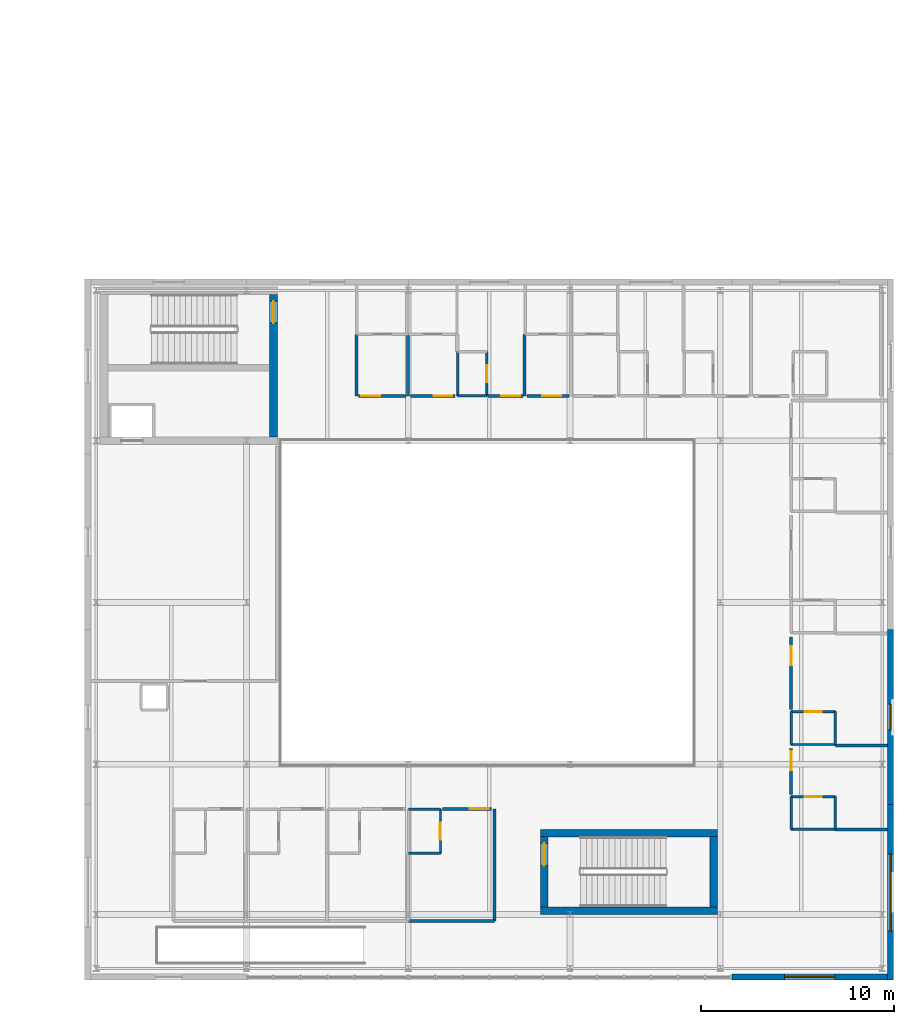
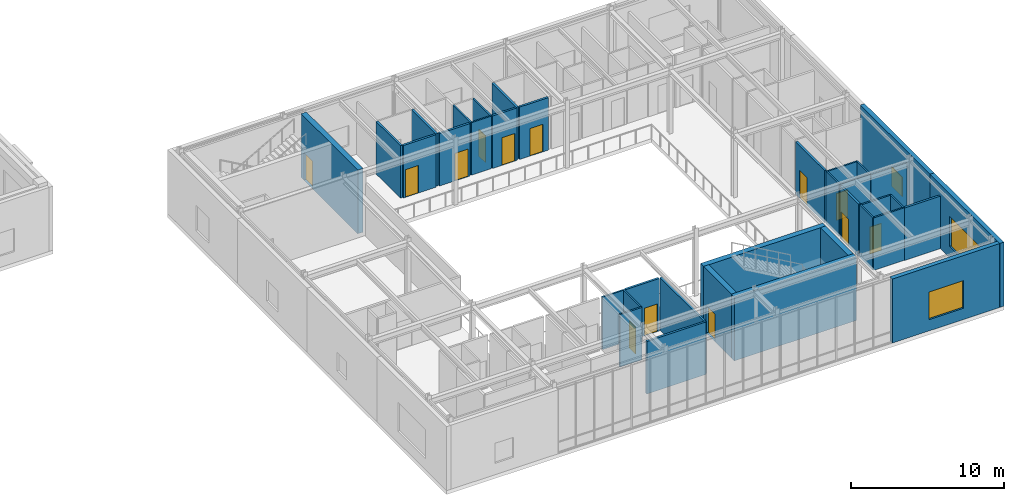
# One storey, part 116 of 139: 36 walls, 13 doors, 3 windows, 16 openings.
"""IFC4 building model written with IfcOpenShell, lengths in metres."""

from ifc_helpers import new_model, si_unit, direction, frame, frame_2d, origin, place, context, subcontext, project, spatial, rectangle, extrude, material, layer, layer_set, type_object, element, fill, save


model = new_model("IFC4")

# Units and contexts
model_context = context("Model", 3, precision=1e-05, world=origin(), true_north=direction((0.0, 1.0)))
body_context = subcontext(model_context, "Body", "Model", "MODEL_VIEW")
ifc_project = project(units=[si_unit("LENGTHUNIT", "METRE"), si_unit("AREAUNIT", "SQUARE_METRE"), si_unit("VOLUMEUNIT", "CUBIC_METRE"), si_unit("PLANEANGLEUNIT", "RADIAN"), si_unit("MASSUNIT", "GRAM", prefix="KILO")], contexts=[model_context])

# Site, building, storey
site_placement = place(None, origin())
site = spatial("IfcSite", under=ifc_project, at=site_placement, CompositionType="ELEMENT")
building_placement = place(site_placement, origin())
building = spatial("IfcBuilding", under=site, at=building_placement, Name="Zayran Congress Hotel", CompositionType="ELEMENT")
storey_placement = place(building_placement, frame((0.0, 0.0, 5.39990234375)))
storey = spatial("IfcBuildingStorey", under=building, at=storey_placement, Name="L01", CompositionType="ELEMENT", Elevation=5.39990234375)

# Wall, opening, window
ifc_material_1 = material(Name="Ajlun white limestone and insulated concrete C32/40", Category="masonry")
ifc_layer_1 = layer(ifc_material_1, 0.320068359375)
ifc_layer_set_1 = layer_set([ifc_layer_1], Name="Ajlun white limestone and insulated concrete C32/40")
wall_type_1 = type_object("IfcWallType", Name="WL-EX-320", PredefinedType="SOLIDWALL", material=ifc_layer_set_1)
wall_1_placement = place(storey_placement, frame((192.8798828125, 6.159912109375, 0.0), z_axis=(0.0, 0.0, 1.0), x_axis=(-1.0, 0.0, 0.0)))
wall_1 = element("IfcWall", 1, at=wall_1_placement, inside=storey, type_object=wall_type_1, Name="EW-V3-S-L01-4", PredefinedType="SOLIDWALL", context=body_context, shape_type="SweptSolid", body=[
    extrude(rectangle(XDim=8.079833984375, YDim=0.320068359375, at=frame_2d((4.0400390625, 0.0))), origin(), (0.0, 0.0, 1.0), 5.10009765625),
])
opening_1_placement = place(wall_1_placement, frame((2.739990234375, 0.0, 0.89990234375)))
opening_1 = element("IfcOpeningElement", 2, at=opening_1_placement, cuts=wall_1, Name="Opening WN-19", PredefinedType="OPENING", context=body_context, shape_type="SweptSolid", body=[
    extrude(rectangle(XDim=2.60009765625, YDim=2.199951171875, at=frame_2d((1.300048828125, 1.10009765625))), frame((0.0, 0.169921875, 0.0), z_axis=(0.0, -1.0, 0.0), x_axis=(1.0, 0.0, 0.0)), (0.0, 0.0, 1.0), 0.340087890625),
])
ifc_material_2 = material(Name="Anodised aluminium and low-E insulated glass", Category="aluminium")
window_type_1 = type_object("IfcWindowType", Name="TP-WN-19", PartitioningType="DOUBLE_PANEL_VERTICAL", PredefinedType="WINDOW", material=ifc_material_2)
window_1_placement = place(opening_1_placement, origin())
window_1 = element("IfcWindow", 3, at=window_1_placement, inside=storey, type_object=window_type_1, Name="WIN-V3-0076", OverallHeight=2.199951171875, OverallWidth=2.60009765625, PartitioningType="SINGLE_PANEL", PredefinedType="WINDOW", context=body_context, shape_type="SweptSolid", body=[
    extrude(rectangle(XDim=2.60009765625, YDim=2.199951171875, at=frame_2d((1.300048828125, 1.10009765625))), frame((0.0, 0.030029296875, 0.0), z_axis=(0.0, -1.0, 0.0), x_axis=(1.0, 0.0, 0.0)), (0.0, 0.0, 1.0), 0.06005859375),
])
fill(opening_1, window_1)

wall_2_placement = place(storey_placement, frame((193.0400390625, 15.10009765625, 0.0), z_axis=(0.0, 0.0, 1.0), x_axis=(0.0, -1.0, 0.0)))
wall_2 = element("IfcWall", 4, at=wall_2_placement, inside=storey, type_object=wall_type_1, Name="EW-V3-E-L01-0", PredefinedType="SOLIDWALL", context=body_context, shape_type="SweptSolid", body=[
    extrude(rectangle(XDim=9.10009765625, YDim=0.320068359375, at=frame_2d((4.550048828125, 0.0))), origin(), (0.0, 0.0, 1.0), 5.10009765625),
])
opening_2_placement = place(wall_2_placement, frame((2.550048828125, 0.0, 0.89990234375)))
opening_2 = element("IfcOpeningElement", 5, at=opening_2_placement, cuts=wall_2, Name="Opening WN-22", PredefinedType="OPENING", context=body_context, shape_type="SweptSolid", body=[
    extrude(rectangle(XDim=4.0, YDim=2.39990234375, at=frame_2d((2.0, 1.199951171875))), frame((0.0, 0.169921875, 0.0), z_axis=(0.0, -1.0, 0.0), x_axis=(1.0, 0.0, 0.0)), (0.0, 0.0, 1.0), 0.340087890625),
])
window_type_2 = type_object("IfcWindowType", Name="TP-WN-22", PartitioningType="TRIPLE_PANEL_VERTICAL", PredefinedType="WINDOW", material=ifc_material_2)
window_2_placement = place(opening_2_placement, origin())
window_2 = element("IfcWindow", 6, at=window_2_placement, inside=storey, type_object=window_type_2, Name="WIN-V3-0079", OverallHeight=2.39990234375, OverallWidth=4.0, PartitioningType="SINGLE_PANEL", PredefinedType="WINDOW", context=body_context, shape_type="SweptSolid", body=[
    extrude(rectangle(XDim=4.0, YDim=2.39990234375, at=frame_2d((2.0, 1.199951171875))), frame((0.0, 0.030029296875, 0.0), z_axis=(0.0, -1.0, 0.0), x_axis=(1.0, 0.0, 0.0)), (0.0, 0.0, 1.0), 0.06005859375),
])
fill(opening_2, window_2)

wall_3_placement = place(storey_placement, frame((193.0400390625, 24.199951171875, 0.0), z_axis=(0.0, 0.0, 1.0), x_axis=(0.0, -1.0, 0.0)))
wall_3 = element("IfcWall", 7, at=wall_3_placement, inside=storey, type_object=wall_type_1, Name="EW-V3-E-L01-1", PredefinedType="SOLIDWALL", context=body_context, shape_type="SweptSolid", body=[
    extrude(rectangle(XDim=9.099853515625, YDim=0.320068359375, at=frame_2d((4.5498046875, 0.0))), origin(), (0.0, 0.0, 1.0), 5.10009765625),
])
opening_3_placement = place(wall_3_placement, frame((3.875, 0.0, 0.89990234375)))
opening_3 = element("IfcOpeningElement", 8, at=opening_3_placement, cuts=wall_3, Name="Opening WN-24", PredefinedType="OPENING", context=body_context, shape_type="SweptSolid", body=[
    extrude(rectangle(XDim=1.35009765625, YDim=1.550048828125, at=frame_2d((0.675048828125, 0.77490234375))), frame((0.0, 0.169921875, 0.0), z_axis=(0.0, -1.0, 0.0), x_axis=(1.0, 0.0, 0.0)), (0.0, 0.0, 1.0), 0.340087890625),
])
window_type_3 = type_object("IfcWindowType", Name="TP-WN-24", PartitioningType="SINGLE_PANEL", PredefinedType="WINDOW", material=ifc_material_2)
window_3_placement = place(opening_3_placement, origin())
window_3 = element("IfcWindow", 9, at=window_3_placement, inside=storey, type_object=window_type_3, Name="WIN-V3-0081", OverallHeight=1.550048828125, OverallWidth=1.35009765625, PartitioningType="SINGLE_PANEL", PredefinedType="WINDOW", context=body_context, shape_type="SweptSolid", body=[
    extrude(rectangle(XDim=1.35009765625, YDim=1.550048828125, at=frame_2d((0.675048828125, 0.77490234375))), frame((0.0, 0.030029296875, 0.0), z_axis=(0.0, -1.0, 0.0), x_axis=(1.0, 0.0, 0.0)), (0.0, 0.0, 1.0), 0.06005859375),
])
fill(opening_3, window_3)

# Wall, opening, door
ifc_material_3 = material(Name="Concrete C40/50", Category="concrete")
ifc_layer_2 = layer(ifc_material_3, 0.39990234375)
ifc_layer_set_2 = layer_set([ifc_layer_2], Name="Concrete C40/50")
wall_type_2 = type_object("IfcWallType", Name="WL-SH-400", PredefinedType="SHEAR", material=ifc_layer_set_2)
wall_4_placement = place(storey_placement, frame((161.0, 34.199951171875, 0.0), z_axis=(0.0, 0.0, 1.0), x_axis=(0.0, 1.0, 0.0)))
wall_4 = element("IfcWall", 10, at=wall_4_placement, inside=storey, type_object=wall_type_2, Name="CWALL-C-V3W-L01-E", PredefinedType="SHEAR", context=body_context, shape_type="SweptSolid", body=[
    extrude(rectangle(XDim=7.400146484375, YDim=0.39990234375, at=frame_2d((3.7001953125, 0.0))), origin(), (0.0, 0.0, 1.0), 5.080078125),
])
opening_4_placement = place(wall_4_placement, frame((5.89990234375, 0.0, 0.0)))
opening_4 = element("IfcOpeningElement", 11, at=opening_4_placement, cuts=wall_4, Name="Opening DR-FD-90", PredefinedType="OPENING", context=body_context, shape_type="SweptSolid", body=[
    extrude(rectangle(XDim=1.14990234375, YDim=2.199951171875, at=frame_2d((0.574951171875, 1.10009765625))), frame((0.0, 0.2099609375, 0.0), z_axis=(0.0, -1.0, 0.0), x_axis=(1.0, 0.0, 0.0)), (0.0, 0.0, 1.0), 0.419921875),
])
ifc_material_4 = material(Name="Painted steel fire door assembly", Category="steel")
door_type_1 = type_object("IfcDoorType", Name="TP-DR-FD-90", OperationType="NOTDEFINED", PredefinedType="DOOR", material=ifc_material_4)
door_1_placement = place(opening_4_placement, origin())
door_1 = element("IfcDoor", 12, at=door_1_placement, inside=storey, type_object=door_type_1, Name="ST-11 Exit Stair Door L01", OperationType="SINGLE_SWING_LEFT", OverallHeight=2.199951171875, OverallWidth=1.14990234375, PredefinedType="DOOR", context=body_context, shape_type="SweptSolid", body=[
    extrude(rectangle(XDim=1.14990234375, YDim=2.199951171875, at=frame_2d((0.574951171875, 1.10009765625))), frame((0.0, 0.02490234375, 0.0), z_axis=(0.0, -1.0, 0.0), x_axis=(1.0, 0.0, 0.0)), (0.0, 0.0, 1.0), 0.050048828125),
])
fill(opening_4, door_1)

# Walls
for number, where, z_axis, x_axis, name in (
    (13, (174.85009765625, 9.60009765625, 0.0), (0.0, 0.0, 1.0), (1.0, 0.0, 0.0), "CWALL-C-V3E-L01-S"),
    (14, (184.050048828125, 13.625, 0.0), (0.0, 0.0, 1.0), (-1.0, 0.0, 0.0), "CWALL-C-V3E-L01-N"),
):
    element("IfcWall", number, at=place(storey_placement, frame(where, z_axis=z_axis, x_axis=x_axis)), inside=storey, type_object=wall_type_2, Name=name, PredefinedType="SHEAR", context=body_context, shape_type="SweptSolid", body=[
        extrude(rectangle(XDim=9.199951171875, YDim=0.39990234375, at=frame_2d((4.60009765625, 0.0))), origin(), (0.0, 0.0, 1.0), 5.080078125),
    ])

# Wall, opening, door
wall_5_placement = place(storey_placement, frame((175.050048828125, 13.43994140625, 0.0), z_axis=(0.0, 0.0, 1.0), x_axis=(0.0, -1.0, 0.0)))
wall_5 = element("IfcWall", 15, at=wall_5_placement, inside=storey, type_object=wall_type_2, Name="CWALL-C-V3E-L01-W", PredefinedType="SHEAR", context=body_context, shape_type="SweptSolid", body=[
    extrude(rectangle(XDim=3.639892578125, YDim=0.39990234375, at=frame_2d((1.81982421875, 0.0))), origin(), (0.0, 0.0, 1.0), 5.080078125),
])
opening_5_placement = place(wall_5_placement, frame((0.35009765625, 0.0, 0.0)))
opening_5 = element("IfcOpeningElement", 16, at=opening_5_placement, cuts=wall_5, Name="Opening DR-FD-90", PredefinedType="OPENING", context=body_context, shape_type="SweptSolid", body=[
    extrude(rectangle(XDim=1.14990234375, YDim=2.199951171875, at=frame_2d((0.574951171875, 1.10009765625))), frame((0.0, 0.2099609375, 0.0), z_axis=(0.0, -1.0, 0.0), x_axis=(1.0, 0.0, 0.0)), (0.0, 0.0, 1.0), 0.419921875),
])
door_2_placement = place(opening_5_placement, origin())
door_2 = element("IfcDoor", 17, at=door_2_placement, inside=storey, type_object=door_type_1, Name="ST-12 Exit Stair Door L01", OperationType="SINGLE_SWING_RIGHT", OverallHeight=2.199951171875, OverallWidth=1.14990234375, PredefinedType="DOOR", context=body_context, shape_type="SweptSolid", body=[
    extrude(rectangle(XDim=1.14990234375, YDim=2.199951171875, at=frame_2d((0.574951171875, 1.10009765625))), frame((0.0, 0.02490234375, 0.0), z_axis=(0.0, -1.0, 0.0), x_axis=(1.0, 0.0, 0.0)), (0.0, 0.0, 1.0), 0.050048828125),
])
fill(opening_5, door_2)

# Wall
wall_6_placement = place(storey_placement, frame((183.85009765625, 9.800048828125, 0.0), z_axis=(0.0, 0.0, 1.0), x_axis=(0.0, 1.0, 0.0)))
element("IfcWall", 18, at=wall_6_placement, inside=storey, type_object=wall_type_2, Name="CWALL-C-V3E-L01-E", PredefinedType="SHEAR", context=body_context, shape_type="SweptSolid", body=[
    extrude(rectangle(XDim=3.639892578125, YDim=0.39990234375, at=frame_2d((1.81982421875, 0.0))), origin(), (0.0, 0.0, 1.0), 5.080078125),
])

# Wall, opening, door
ifc_material_5 = material(Name="Acoustic twin-stud gypsum partition", Category="gypsum")
ifc_layer_3 = layer(ifc_material_5, 0.159912109375)
ifc_layer_set_3 = layer_set([ifc_layer_3], Name="Acoustic twin-stud gypsum partition")
wall_type_3 = type_object("IfcWallType", Name="WL-PT-160", PredefinedType="PARTITIONING", material=ifc_layer_set_3)
wall_7_placement = place(storey_placement, frame((169.77001953125, 14.8798828125, 0.0), z_axis=(0.0, 0.0, 1.0), x_axis=(1.0, 0.0, 0.0)))
wall_7 = element("IfcWall", 19, at=wall_7_placement, inside=storey, type_object=wall_type_3, Name="IW-L01-0423", PredefinedType="PARTITIONING", context=body_context, shape_type="SweptSolid", body=[
    extrude(rectangle(XDim=2.550048828125, YDim=0.159912109375, at=frame_2d((1.27490234375, 0.0))), origin(), (0.0, 0.0, 1.0), 4.18017578125),
])
opening_6_placement = place(wall_7_placement, frame((1.429931640625, 0.0, 0.0)))
opening_6 = element("IfcOpeningElement", 20, at=opening_6_placement, cuts=wall_7, Name="Opening DR-SP-01", PredefinedType="OPENING", context=body_context, shape_type="SweptSolid", body=[
    extrude(rectangle(XDim=0.97998046875, YDim=2.199951171875, at=frame_2d((0.489990234375, 1.10009765625))), frame((0.0, 0.08984375, 0.0), z_axis=(0.0, -1.0, 0.0), x_axis=(1.0, 0.0, 0.0)), (0.0, 0.0, 1.0), 0.179931640625),
])
ifc_material_6 = material(Name="Teak thermal spa suite door", Category="wood")
door_type_2 = type_object("IfcDoorType", Name="TP-DR-SP-01", OperationType="NOTDEFINED", PredefinedType="DOOR", material=ifc_material_6)
door_3_placement = place(opening_6_placement, origin())
door_3 = element("IfcDoor", 21, at=door_3_placement, inside=storey, type_object=door_type_2, Name="Treatment Suite 04 Door", OperationType="SINGLE_SWING_LEFT", OverallHeight=2.199951171875, OverallWidth=0.97998046875, PredefinedType="DOOR", context=body_context, shape_type="SweptSolid", body=[
    extrude(rectangle(XDim=0.97998046875, YDim=2.199951171875, at=frame_2d((0.489990234375, 1.10009765625))), frame((0.0, 0.02490234375, 0.0), z_axis=(0.0, -1.0, 0.0), x_axis=(1.0, 0.0, 0.0)), (0.0, 0.0, 1.0), 0.050048828125),
])
fill(opening_6, door_3)

wall_8_placement = place(storey_placement, frame((187.8701171875, 15.639892578125, 0.0), z_axis=(0.0, 0.0, 1.0), x_axis=(0.0, 1.0, 0.0)))
wall_8 = element("IfcWall", 22, at=wall_8_placement, inside=storey, type_object=wall_type_3, Name="IW-L01-0424", PredefinedType="PARTITIONING", context=body_context, shape_type="SweptSolid", body=[
    extrude(rectangle(XDim=2.380126953125, YDim=0.159912109375, at=frame_2d((1.18994140625, 0.0))), origin(), (0.0, 0.0, 1.0), 4.18017578125),
])
opening_7_placement = place(wall_8_placement, frame((1.260009765625, 0.0, 0.0)))
opening_7 = element("IfcOpeningElement", 23, at=opening_7_placement, cuts=wall_8, Name="Opening DR-SP-01", PredefinedType="OPENING", context=body_context, shape_type="SweptSolid", body=[
    extrude(rectangle(XDim=0.97998046875, YDim=2.199951171875, at=frame_2d((0.489990234375, 1.10009765625))), frame((0.0, 0.08984375, 0.0), z_axis=(0.0, -1.0, 0.0), x_axis=(1.0, 0.0, 0.0)), (0.0, 0.0, 1.0), 0.179931640625),
])
door_4_placement = place(opening_7_placement, origin())
door_4 = element("IfcDoor", 24, at=door_4_placement, inside=storey, type_object=door_type_2, Name="Treatment Suite 05 Door", OperationType="SINGLE_SWING_RIGHT", OverallHeight=2.199951171875, OverallWidth=0.97998046875, PredefinedType="DOOR", context=body_context, shape_type="SweptSolid", body=[
    extrude(rectangle(XDim=0.97998046875, YDim=2.199951171875, at=frame_2d((0.489990234375, 1.10009765625))), frame((0.0, 0.02490234375, 0.0), z_axis=(0.0, -1.0, 0.0), x_axis=(1.0, 0.0, 0.0)), (0.0, 0.0, 1.0), 0.050048828125),
])
fill(opening_7, door_4)

wall_9_placement = place(storey_placement, frame((187.8701171875, 20.0400390625, 0.0), z_axis=(0.0, 0.0, 1.0), x_axis=(0.0, 1.0, 0.0)))
wall_9 = element("IfcWall", 25, at=wall_9_placement, inside=storey, type_object=wall_type_3, Name="IW-L01-0425", PredefinedType="PARTITIONING", context=body_context, shape_type="SweptSolid", body=[
    extrude(rectangle(XDim=3.780029296875, YDim=0.159912109375, at=frame_2d((1.89013671875, 0.0))), origin(), (0.0, 0.0, 1.0), 4.18017578125),
])
opening_8_placement = place(wall_9_placement, frame((2.300048828125, 0.0, 0.0)))
opening_8 = element("IfcOpeningElement", 26, at=opening_8_placement, cuts=wall_9, Name="Opening DR-SP-01", PredefinedType="OPENING", context=body_context, shape_type="SweptSolid", body=[
    extrude(rectangle(XDim=0.97998046875, YDim=2.199951171875, at=frame_2d((0.489990234375, 1.10009765625))), frame((0.0, 0.08984375, 0.0), z_axis=(0.0, -1.0, 0.0), x_axis=(1.0, 0.0, 0.0)), (0.0, 0.0, 1.0), 0.179931640625),
])
door_5_placement = place(opening_8_placement, origin())
door_5 = element("IfcDoor", 27, at=door_5_placement, inside=storey, type_object=door_type_2, Name="Treatment Suite 06 Door", OperationType="SINGLE_SWING_LEFT", OverallHeight=2.199951171875, OverallWidth=0.97998046875, PredefinedType="DOOR", context=body_context, shape_type="SweptSolid", body=[
    extrude(rectangle(XDim=0.97998046875, YDim=2.199951171875, at=frame_2d((0.489990234375, 1.10009765625))), frame((0.0, 0.02490234375, 0.0), z_axis=(0.0, -1.0, 0.0), x_axis=(1.0, 0.0, 0.0)), (0.0, 0.0, 1.0), 0.050048828125),
])
fill(opening_8, door_5)

wall_10_placement = place(storey_placement, frame((165.419921875, 36.320068359375, 0.0), z_axis=(0.0, 0.0, 1.0), x_axis=(1.0, 0.0, 0.0)))
wall_10 = element("IfcWall", 28, at=wall_10_placement, inside=storey, type_object=wall_type_3, Name="IW-L01-0428", PredefinedType="PARTITIONING", context=body_context, shape_type="SweptSolid", body=[
    extrude(rectangle(XDim=2.4599609375, YDim=0.159912109375, at=frame_2d((1.22998046875, 0.0))), origin(), (0.0, 0.0, 1.0), 4.18017578125),
])
opening_9_placement = place(wall_10_placement, frame((0.139892578125, 0.0, 0.0)))
opening_9 = element("IfcOpeningElement", 29, at=opening_9_placement, cuts=wall_10, Name="Opening DR-SP-01", PredefinedType="OPENING", context=body_context, shape_type="SweptSolid", body=[
    extrude(rectangle(XDim=0.97998046875, YDim=2.199951171875, at=frame_2d((0.489990234375, 1.10009765625))), frame((0.0, 0.08984375, 0.0), z_axis=(0.0, -1.0, 0.0), x_axis=(1.0, 0.0, 0.0)), (0.0, 0.0, 1.0), 0.179931640625),
])
door_6_placement = place(opening_9_placement, origin())
door_6 = element("IfcDoor", 30, at=door_6_placement, inside=storey, type_object=door_type_2, Name="Treatment Suite 09 Door", OperationType="SINGLE_SWING_RIGHT", OverallHeight=2.199951171875, OverallWidth=0.97998046875, PredefinedType="DOOR", context=body_context, shape_type="SweptSolid", body=[
    extrude(rectangle(XDim=0.97998046875, YDim=2.199951171875, at=frame_2d((0.489990234375, 1.10009765625))), frame((0.0, 0.02490234375, 0.0), z_axis=(0.0, -1.0, 0.0), x_axis=(1.0, 0.0, 0.0)), (0.0, 0.0, 1.0), 0.050048828125),
])
fill(opening_9, door_6)

wall_11_placement = place(storey_placement, frame((168.1201171875, 36.320068359375, 0.0), z_axis=(0.0, 0.0, 1.0), x_axis=(1.0, 0.0, 0.0)))
wall_11 = element("IfcWall", 31, at=wall_11_placement, inside=storey, type_object=wall_type_3, Name="IW-L01-0429", PredefinedType="PARTITIONING", context=body_context, shape_type="SweptSolid", body=[
    extrude(rectangle(XDim=2.309814453125, YDim=0.159912109375, at=frame_2d((1.15478515625, 0.0))), origin(), (0.0, 0.0, 1.0), 4.18017578125),
])
opening_10_placement = place(wall_11_placement, frame((1.18994140625, 0.0, 0.0)))
opening_10 = element("IfcOpeningElement", 32, at=opening_10_placement, cuts=wall_11, Name="Opening DR-SP-01", PredefinedType="OPENING", context=body_context, shape_type="SweptSolid", body=[
    extrude(rectangle(XDim=0.97998046875, YDim=2.199951171875, at=frame_2d((0.489990234375, 1.10009765625))), frame((0.0, 0.08984375, 0.0), z_axis=(0.0, -1.0, 0.0), x_axis=(1.0, 0.0, 0.0)), (0.0, 0.0, 1.0), 0.179931640625),
])
door_7_placement = place(opening_10_placement, origin())
door_7 = element("IfcDoor", 33, at=door_7_placement, inside=storey, type_object=door_type_2, Name="Treatment Suite 10 Door", OperationType="SINGLE_SWING_LEFT", OverallHeight=2.199951171875, OverallWidth=0.97998046875, PredefinedType="DOOR", context=body_context, shape_type="SweptSolid", body=[
    extrude(rectangle(XDim=0.97998046875, YDim=2.199951171875, at=frame_2d((0.489990234375, 1.10009765625))), frame((0.0, 0.02490234375, 0.0), z_axis=(0.0, -1.0, 0.0), x_axis=(1.0, 0.0, 0.0)), (0.0, 0.0, 1.0), 0.050048828125),
])
fill(opening_10, door_7)

wall_12_placement = place(storey_placement, frame((172.1298828125, 36.320068359375, 0.0), z_axis=(0.0, 0.0, 1.0), x_axis=(1.0, 0.0, 0.0)))
wall_12 = element("IfcWall", 34, at=wall_12_placement, inside=storey, type_object=wall_type_3, Name="IW-L01-0430", PredefinedType="PARTITIONING", context=body_context, shape_type="SweptSolid", body=[
    extrude(rectangle(XDim=1.820068359375, YDim=0.159912109375, at=frame_2d((0.91015625, 0.0))), origin(), (0.0, 0.0, 1.0), 4.18017578125),
])
opening_11_placement = place(wall_12_placement, frame((0.699951171875, 0.0, 0.0)))
opening_11 = element("IfcOpeningElement", 35, at=opening_11_placement, cuts=wall_12, Name="Opening DR-SP-01", PredefinedType="OPENING", context=body_context, shape_type="SweptSolid", body=[
    extrude(rectangle(XDim=0.97998046875, YDim=2.199951171875, at=frame_2d((0.489990234375, 1.10009765625))), frame((0.0, 0.08984375, 0.0), z_axis=(0.0, -1.0, 0.0), x_axis=(1.0, 0.0, 0.0)), (0.0, 0.0, 1.0), 0.179931640625),
])
door_8_placement = place(opening_11_placement, origin())
door_8 = element("IfcDoor", 36, at=door_8_placement, inside=storey, type_object=door_type_2, Name="Treatment Suite 11 Door", OperationType="SINGLE_SWING_RIGHT", OverallHeight=2.199951171875, OverallWidth=0.97998046875, PredefinedType="DOOR", context=body_context, shape_type="SweptSolid", body=[
    extrude(rectangle(XDim=0.97998046875, YDim=2.199951171875, at=frame_2d((0.489990234375, 1.10009765625))), frame((0.0, 0.02490234375, 0.0), z_axis=(0.0, -1.0, 0.0), x_axis=(1.0, 0.0, 0.0)), (0.0, 0.0, 1.0), 0.050048828125),
])
fill(opening_11, door_8)

wall_13_placement = place(storey_placement, frame((174.169921875, 36.320068359375, 0.0), z_axis=(0.0, 0.0, 1.0), x_axis=(1.0, 0.0, 0.0)))
wall_13 = element("IfcWall", 37, at=wall_13_placement, inside=storey, type_object=wall_type_3, Name="IW-L01-0431", PredefinedType="PARTITIONING", context=body_context, shape_type="SweptSolid", body=[
    extrude(rectangle(XDim=2.16015625, YDim=0.159912109375, at=frame_2d((1.080078125, 0.0))), origin(), (0.0, 0.0, 1.0), 4.18017578125),
])
opening_12_placement = place(wall_13_placement, frame((0.782958984375, 0.0, 0.0)))
opening_12 = element("IfcOpeningElement", 38, at=opening_12_placement, cuts=wall_13, Name="Opening DR-SP-01", PredefinedType="OPENING", context=body_context, shape_type="SweptSolid", body=[
    extrude(rectangle(XDim=0.97998046875, YDim=2.199951171875, at=frame_2d((0.489990234375, 1.10009765625))), frame((0.0, 0.08984375, 0.0), z_axis=(0.0, -1.0, 0.0), x_axis=(1.0, 0.0, 0.0)), (0.0, 0.0, 1.0), 0.179931640625),
])
door_9_placement = place(opening_12_placement, origin())
door_9 = element("IfcDoor", 39, at=door_9_placement, inside=storey, type_object=door_type_2, Name="Treatment Suite 12 Door", OperationType="SINGLE_SWING_LEFT", OverallHeight=2.199951171875, OverallWidth=0.97998046875, PredefinedType="DOOR", context=body_context, shape_type="SweptSolid", body=[
    extrude(rectangle(XDim=0.97998046875, YDim=2.199951171875, at=frame_2d((0.489990234375, 1.10009765625))), frame((0.0, 0.02490234375, 0.0), z_axis=(0.0, -1.0, 0.0), x_axis=(1.0, 0.0, 0.0)), (0.0, 0.0, 1.0), 0.050048828125),
])
fill(opening_12, door_9)

# Walls
wall_14_placement = place(storey_placement, frame((168.02001953125, 9.070068359375, 0.0), z_axis=(0.0, 0.0, 1.0), x_axis=(1.0, 0.0, 0.0)))
element("IfcWall", 40, at=wall_14_placement, inside=storey, type_object=wall_type_3, Name="IW-L01-1706", PredefinedType="PARTITIONING", context=body_context, shape_type="SweptSolid", body=[
    extrude(rectangle(XDim=4.4599609375, YDim=0.159912109375, at=frame_2d((2.22998046875, 0.0))), origin(), (0.0, 0.0, 1.0), 4.18017578125),
])
wall_15_placement = place(storey_placement, frame((172.47998046875, 9.070068359375, 0.0), z_axis=(0.0, 0.0, 1.0), x_axis=(0.0, 1.0, 0.0)))
element("IfcWall", 41, at=wall_15_placement, inside=storey, type_object=wall_type_3, Name="IW-L01-1707", PredefinedType="PARTITIONING", context=body_context, shape_type="SweptSolid", body=[
    extrude(rectangle(XDim=5.809814453125, YDim=0.159912109375, at=frame_2d((2.90478515625, 0.0))), origin(), (0.0, 0.0, 1.0), 4.18017578125),
])
for number, where, z_axis, x_axis, name in (
    (42, (190.179931640625, 13.820068359375, 0.0), (0.0, 0.0, 1.0), (1.0, 0.0, 0.0), "IW-L01-1708"),
    (43, (190.179931640625, 18.179931640625, 0.0), (0.0, 0.0, 1.0), (1.0, 0.0, 0.0), "IW-L01-1709"),
):
    element("IfcWall", number, at=place(storey_placement, frame(where, z_axis=z_axis, x_axis=x_axis)), inside=storey, type_object=wall_type_3, Name=name, PredefinedType="PARTITIONING", context=body_context, shape_type="SweptSolid", body=[
        extrude(rectangle(XDim=2.699951171875, YDim=0.159912109375, at=frame_2d((1.35009765625, 0.0))), origin(), (0.0, 0.0, 1.0), 4.18017578125),
    ])
for number, where, z_axis, x_axis, name in (
    (44, (165.31005859375, 36.320068359375, 0.0), (0.0, 0.0, 1.0), (0.0, 1.0, 0.0), "IW-L01-1713"),
    (45, (167.989990234375, 36.320068359375, 0.0), (0.0, 0.0, 1.0), (0.0, 1.0, 0.0), "IW-L01-1714"),
    (46, (174.0400390625, 36.320068359375, 0.0), (0.0, 0.0, 1.0), (0.0, 1.0, 0.0), "IW-L01-1716"),
):
    element("IfcWall", number, at=place(storey_placement, frame(where, z_axis=z_axis, x_axis=x_axis)), inside=storey, type_object=wall_type_3, Name=name, PredefinedType="PARTITIONING", context=body_context, shape_type="SweptSolid", body=[
        extrude(rectangle(XDim=3.199951171875, YDim=0.159912109375, at=frame_2d((1.60009765625, 0.0))), origin(), (0.0, 0.0, 1.0), 4.18017578125),
    ])

# Wall, opening, door
ifc_material_7 = material(Name="Moisture-resistant bathroom partition", Category="gypsum")
ifc_layer_4 = layer(ifc_material_7, 0.1201171875)
ifc_layer_set_4 = layer_set([ifc_layer_4], Name="Moisture-resistant bathroom partition")
wall_type_4 = type_object("IfcWallType", Name="WL-PT-120", PredefinedType="PARTITIONING", material=ifc_layer_set_4)
wall_16_placement = place(storey_placement, frame((169.669921875, 12.570068359375, 0.0), z_axis=(0.0, 0.0, 1.0), x_axis=(0.0, 1.0, 0.0)))
wall_16 = element("IfcWall", 47, at=wall_16_placement, inside=storey, type_object=wall_type_4, Name="IW-L01-0004", PredefinedType="PARTITIONING", context=body_context, shape_type="SweptSolid", body=[
    extrude(rectangle(XDim=2.309814453125, YDim=0.1201171875, at=frame_2d((1.15478515625, 0.0))), origin(), (0.0, 0.0, 1.0), 4.18017578125),
])
opening_13_placement = place(wall_16_placement, frame((0.715087890625, 0.0, 0.0)))
opening_13 = element("IfcOpeningElement", 48, at=opening_13_placement, cuts=wall_16, Name="Opening DR-BT-01", PredefinedType="OPENING", context=body_context, shape_type="SweptSolid", body=[
    extrude(rectangle(XDim=0.8798828125, YDim=2.14990234375, at=frame_2d((0.43994140625, 1.074951171875))), frame((0.0, 0.070068359375, 0.0), z_axis=(0.0, -1.0, 0.0), x_axis=(1.0, 0.0, 0.0)), (0.0, 0.0, 1.0), 0.14013671875),
])
ifc_material_8 = material(Name="Moisture-resistant oak en-suite door", Category="wood")
door_type_3 = type_object("IfcDoorType", Name="TP-DR-BT-01", OperationType="NOTDEFINED", PredefinedType="DOOR", material=ifc_material_8)
door_10_placement = place(opening_13_placement, origin())
door_10 = element("IfcDoor", 49, at=door_10_placement, inside=storey, type_object=door_type_3, Name="En-Suite Bathroom Spa 04 Door", OperationType="SINGLE_SWING_LEFT", OverallHeight=2.14990234375, OverallWidth=0.8798828125, PredefinedType="DOOR", context=body_context, shape_type="SweptSolid", body=[
    extrude(rectangle(XDim=0.8798828125, YDim=2.14990234375, at=frame_2d((0.43994140625, 1.074951171875))), frame((0.0, 0.02490234375, 0.0), z_axis=(0.0, -1.0, 0.0), x_axis=(1.0, 0.0, 0.0)), (0.0, 0.0, 1.0), 0.050048828125),
])
fill(opening_13, door_10)

wall_17_placement = place(storey_placement, frame((187.8701171875, 15.52001953125, 0.0), z_axis=(0.0, 0.0, 1.0), x_axis=(1.0, 0.0, 0.0)))
wall_17 = element("IfcWall", 50, at=wall_17_placement, inside=storey, type_object=wall_type_4, Name="IW-L01-0005", PredefinedType="PARTITIONING", context=body_context, shape_type="SweptSolid", body=[
    extrude(rectangle(XDim=2.309814453125, YDim=0.1201171875, at=frame_2d((1.15478515625, 0.0))), origin(), (0.0, 0.0, 1.0), 4.18017578125),
])
opening_14_placement = place(wall_17_placement, frame((0.715087890625, 0.0, 0.0)))
opening_14 = element("IfcOpeningElement", 51, at=opening_14_placement, cuts=wall_17, Name="Opening DR-BT-01", PredefinedType="OPENING", context=body_context, shape_type="SweptSolid", body=[
    extrude(rectangle(XDim=0.8798828125, YDim=2.14990234375, at=frame_2d((0.43994140625, 1.074951171875))), frame((0.0, 0.070068359375, 0.0), z_axis=(0.0, -1.0, 0.0), x_axis=(1.0, 0.0, 0.0)), (0.0, 0.0, 1.0), 0.14013671875),
])
door_11_placement = place(opening_14_placement, origin())
door_11 = element("IfcDoor", 52, at=door_11_placement, inside=storey, type_object=door_type_3, Name="En-Suite Bathroom Spa 05 Door", OperationType="SINGLE_SWING_RIGHT", OverallHeight=2.14990234375, OverallWidth=0.8798828125, PredefinedType="DOOR", context=body_context, shape_type="SweptSolid", body=[
    extrude(rectangle(XDim=0.8798828125, YDim=2.14990234375, at=frame_2d((0.43994140625, 1.074951171875))), frame((0.0, 0.02490234375, 0.0), z_axis=(0.0, -1.0, 0.0), x_axis=(1.0, 0.0, 0.0)), (0.0, 0.0, 1.0), 0.050048828125),
])
fill(opening_14, door_11)

wall_18_placement = place(storey_placement, frame((187.8701171875, 19.919921875, 0.0), z_axis=(0.0, 0.0, 1.0), x_axis=(1.0, 0.0, 0.0)))
wall_18 = element("IfcWall", 53, at=wall_18_placement, inside=storey, type_object=wall_type_4, Name="IW-L01-0006", PredefinedType="PARTITIONING", context=body_context, shape_type="SweptSolid", body=[
    extrude(rectangle(XDim=2.309814453125, YDim=0.1201171875, at=frame_2d((1.15478515625, 0.0))), origin(), (0.0, 0.0, 1.0), 4.18017578125),
])
opening_15_placement = place(wall_18_placement, frame((0.715087890625, 0.0, 0.0)))
opening_15 = element("IfcOpeningElement", 54, at=opening_15_placement, cuts=wall_18, Name="Opening DR-BT-01", PredefinedType="OPENING", context=body_context, shape_type="SweptSolid", body=[
    extrude(rectangle(XDim=0.8798828125, YDim=2.14990234375, at=frame_2d((0.43994140625, 1.074951171875))), frame((0.0, 0.070068359375, 0.0), z_axis=(0.0, -1.0, 0.0), x_axis=(1.0, 0.0, 0.0)), (0.0, 0.0, 1.0), 0.14013671875),
])
door_12_placement = place(opening_15_placement, origin())
door_12 = element("IfcDoor", 55, at=door_12_placement, inside=storey, type_object=door_type_3, Name="En-Suite Bathroom Spa 06 Door", OperationType="SINGLE_SWING_LEFT", OverallHeight=2.14990234375, OverallWidth=0.8798828125, PredefinedType="DOOR", context=body_context, shape_type="SweptSolid", body=[
    extrude(rectangle(XDim=0.8798828125, YDim=2.14990234375, at=frame_2d((0.43994140625, 1.074951171875))), frame((0.0, 0.02490234375, 0.0), z_axis=(0.0, -1.0, 0.0), x_axis=(1.0, 0.0, 0.0)), (0.0, 0.0, 1.0), 0.050048828125),
])
fill(opening_15, door_12)

wall_19_placement = place(storey_placement, frame((172.070068359375, 36.320068359375, 0.0), z_axis=(0.0, 0.0, 1.0), x_axis=(0.0, 1.0, 0.0)))
wall_19 = element("IfcWall", 56, at=wall_19_placement, inside=storey, type_object=wall_type_4, Name="IW-L01-0011", PredefinedType="PARTITIONING", context=body_context, shape_type="SweptSolid", body=[
    extrude(rectangle(XDim=2.309814453125, YDim=0.1201171875, at=frame_2d((1.15478515625, 0.0))), origin(), (0.0, 0.0, 1.0), 4.18017578125),
])
opening_16_placement = place(wall_19_placement, frame((0.715087890625, 0.0, 0.0)))
opening_16 = element("IfcOpeningElement", 57, at=opening_16_placement, cuts=wall_19, Name="Opening DR-BT-01", PredefinedType="OPENING", context=body_context, shape_type="SweptSolid", body=[
    extrude(rectangle(XDim=0.8798828125, YDim=2.14990234375, at=frame_2d((0.43994140625, 1.074951171875))), frame((0.0, 0.070068359375, 0.0), z_axis=(0.0, -1.0, 0.0), x_axis=(1.0, 0.0, 0.0)), (0.0, 0.0, 1.0), 0.14013671875),
])
door_13_placement = place(opening_16_placement, origin())
door_13 = element("IfcDoor", 58, at=door_13_placement, inside=storey, type_object=door_type_3, Name="En-Suite Bathroom Spa 11 Door", OperationType="SINGLE_SWING_RIGHT", OverallHeight=2.14990234375, OverallWidth=0.8798828125, PredefinedType="DOOR", context=body_context, shape_type="SweptSolid", body=[
    extrude(rectangle(XDim=0.8798828125, YDim=2.14990234375, at=frame_2d((0.43994140625, 1.074951171875))), frame((0.0, 0.02490234375, 0.0), z_axis=(0.0, -1.0, 0.0), x_axis=(1.0, 0.0, 0.0)), (0.0, 0.0, 1.0), 0.050048828125),
])
fill(opening_16, door_13)

# Walls
for number, where, z_axis, x_axis, name in (
    (59, (168.02001953125, 12.580078125, 0.0), (0.0, 0.0, 1.0), (1.0, 0.0, 0.0), "IW-L01-0868"),
    (60, (168.02001953125, 14.8701171875, 0.0), (0.0, 0.0, 1.0), (1.0, 0.0, 0.0), "IW-L01-0869"),
):
    element("IfcWall", number, at=place(storey_placement, frame(where, z_axis=z_axis, x_axis=x_axis)), inside=storey, type_object=wall_type_4, Name=name, PredefinedType="PARTITIONING", context=body_context, shape_type="SweptSolid", body=[
        extrude(rectangle(XDim=1.659912109375, YDim=0.1201171875, at=frame_2d((0.830078125, 0.0))), origin(), (0.0, 0.0, 1.0), 4.18017578125),
    ])
wall_20_placement = place(storey_placement, frame((187.8701171875, 13.830078125, 0.0), z_axis=(0.0, 0.0, 1.0), x_axis=(1.0, 0.0, 0.0)))
element("IfcWall", 61, at=wall_20_placement, inside=storey, type_object=wall_type_4, Name="IW-L01-0871", PredefinedType="PARTITIONING", context=body_context, shape_type="SweptSolid", body=[
    extrude(rectangle(XDim=2.309814453125, YDim=0.1201171875, at=frame_2d((1.15478515625, 0.0))), origin(), (0.0, 0.0, 1.0), 4.18017578125),
])
for number, where, z_axis, x_axis, name in (
    (62, (187.8798828125, 13.820068359375, 0.0), (0.0, 0.0, 1.0), (0.0, 1.0, 0.0), "IW-L01-0872"),
    (63, (190.169921875, 13.820068359375, 0.0), (0.0, 0.0, 1.0), (0.0, 1.0, 0.0), "IW-L01-0873"),
):
    element("IfcWall", number, at=place(storey_placement, frame(where, z_axis=z_axis, x_axis=x_axis)), inside=storey, type_object=wall_type_4, Name=name, PredefinedType="PARTITIONING", context=body_context, shape_type="SweptSolid", body=[
        extrude(rectangle(XDim=1.7099609375, YDim=0.1201171875, at=frame_2d((0.85498046875, 0.0))), origin(), (0.0, 0.0, 1.0), 4.18017578125),
    ])
wall_21_placement = place(storey_placement, frame((187.8701171875, 18.22998046875, 0.0), z_axis=(0.0, 0.0, 1.0), x_axis=(1.0, 0.0, 0.0)))
element("IfcWall", 64, at=wall_21_placement, inside=storey, type_object=wall_type_4, Name="IW-L01-0874", PredefinedType="PARTITIONING", context=body_context, shape_type="SweptSolid", body=[
    extrude(rectangle(XDim=2.309814453125, YDim=0.1201171875, at=frame_2d((1.15478515625, 0.0))), origin(), (0.0, 0.0, 1.0), 4.18017578125),
])
for number, where, z_axis, x_axis, name in (
    (65, (187.8798828125, 18.219970703125, 0.0), (0.0, 0.0, 1.0), (0.0, 1.0, 0.0), "IW-L01-0875"),
    (66, (190.169921875, 18.219970703125, 0.0), (0.0, 0.0, 1.0), (0.0, 1.0, 0.0), "IW-L01-0876"),
):
    element("IfcWall", number, at=place(storey_placement, frame(where, z_axis=z_axis, x_axis=x_axis)), inside=storey, type_object=wall_type_4, Name=name, PredefinedType="PARTITIONING", context=body_context, shape_type="SweptSolid", body=[
        extrude(rectangle(XDim=1.7099609375, YDim=0.1201171875, at=frame_2d((0.85498046875, 0.0))), origin(), (0.0, 0.0, 1.0), 4.18017578125),
    ])
wall_22_placement = place(storey_placement, frame((170.56005859375, 36.330078125, 0.0), z_axis=(0.0, 0.0, 1.0), x_axis=(1.0, 0.0, 0.0)))
element("IfcWall", 67, at=wall_22_placement, inside=storey, type_object=wall_type_4, Name="IW-L01-0886", PredefinedType="PARTITIONING", context=body_context, shape_type="SweptSolid", body=[
    extrude(rectangle(XDim=1.52001953125, YDim=0.1201171875, at=frame_2d((0.760009765625, 0.0))), origin(), (0.0, 0.0, 1.0), 4.18017578125),
])
wall_23_placement = place(storey_placement, frame((170.570068359375, 36.320068359375, 0.0), z_axis=(0.0, 0.0, 1.0), x_axis=(0.0, 1.0, 0.0)))
element("IfcWall", 68, at=wall_23_placement, inside=storey, type_object=wall_type_4, Name="IW-L01-0888", PredefinedType="PARTITIONING", context=body_context, shape_type="SweptSolid", body=[
    extrude(rectangle(XDim=2.309814453125, YDim=0.1201171875, at=frame_2d((1.15478515625, 0.0))), origin(), (0.0, 0.0, 1.0), 4.18017578125),
])

save(model, "model.ifc")
